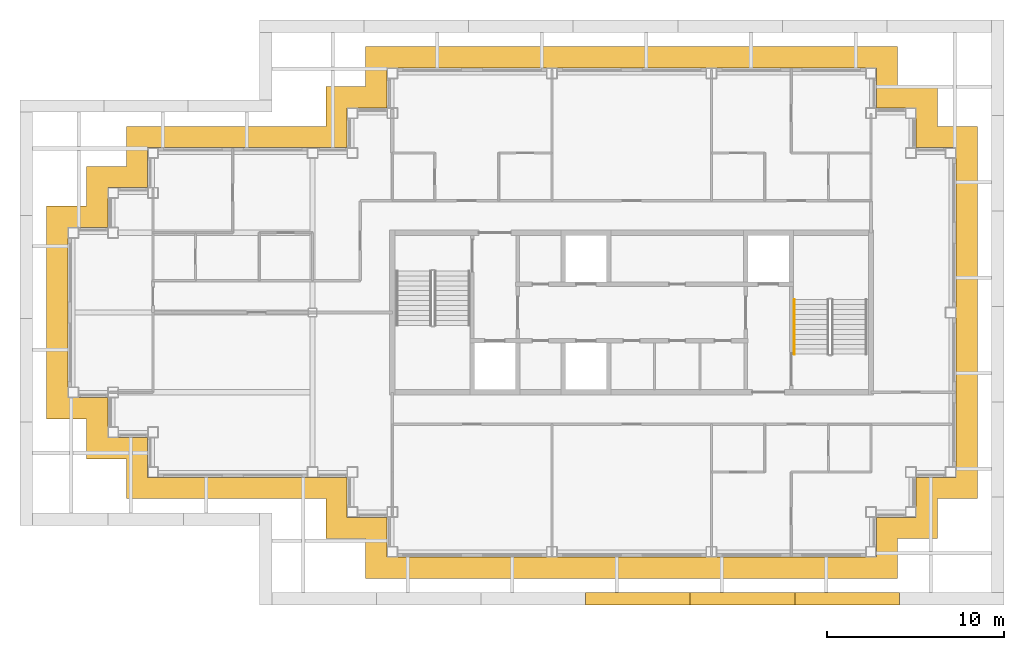
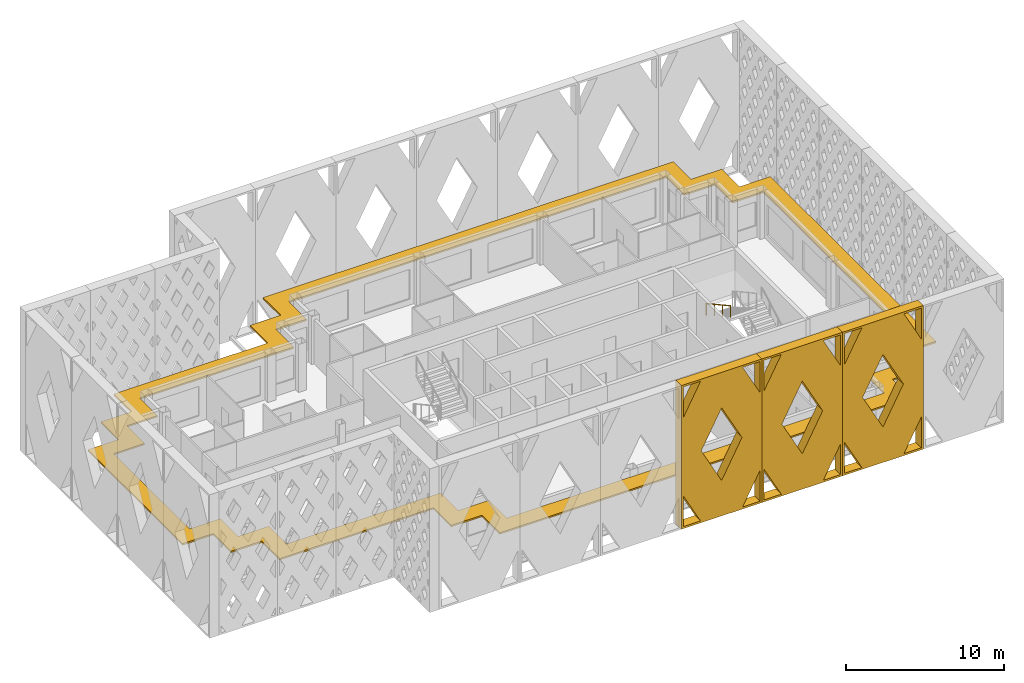
# One storey, part 11 of 13: 4 shading devices, 1 railing.
"""IFC4 building model written with IfcOpenShell, lengths in metres."""

from ifc_helpers import new_model, si_unit, direction, frame, origin, origin_2d, place, context, subcontext, project, spatial, polyline, circle, outline, extrude, material, layer, layer_set, type_object, element, save


model = new_model("IFC4")

# Units and contexts
model_context = context("Model", 3, precision=1e-05, world=origin(), true_north=direction((0.0, 1.0)))
body_context = subcontext(model_context, "Body", "Model", "MODEL_VIEW")
ifc_project = project(units=[si_unit("LENGTHUNIT", "METRE"), si_unit("AREAUNIT", "SQUARE_METRE"), si_unit("VOLUMEUNIT", "CUBIC_METRE"), si_unit("PLANEANGLEUNIT", "RADIAN"), si_unit("MASSUNIT", "GRAM", prefix="KILO")], contexts=[model_context])

# Site, building, storey
site_placement = place(None, origin())
site = spatial("IfcSite", under=ifc_project, at=site_placement, CompositionType="ELEMENT")
building_placement = place(site_placement, origin())
building = spatial("IfcBuilding", under=site, at=building_placement, Name="Caravel Reach Hotel and Residences", CompositionType="ELEMENT")
storey_placement = place(building_placement, frame((0.0, 0.0, 267.5)))
storey = spatial("IfcBuildingStorey", under=building, at=storey_placement, Name="L68", CompositionType="ELEMENT", Elevation=267.5)

# Shading devices
ifc_material_1 = material(Name="Black powder-coated aluminium", Category="aluminium")
shading_device_type_1 = type_object("IfcShadingDeviceType", Name="Diamond lattice screen panel 5900 x 11100", PredefinedType="USERDEFINED", material=ifc_material_1)
for number, where, z_axis, x_axis, name in (
    (1, (28.89990234375, 11.199951171875, 0.0), (0.0, -1.0, 0.0), (1.0, 0.0, 0.0), "Lattice screen L68-L70 3.4"),
    (2, (34.800048828125, 11.199951171875, 0.0), (0.0, -1.0, 0.0), (1.0, 0.0, 0.0), "Lattice screen L68-L70 3.5"),
    (3, (40.699951171875, 11.199951171875, 0.0), (0.0, -1.0, 0.0), (1.0, 0.0, 0.0), "Lattice screen L68-L70 3.6"),
):
    element("IfcShadingDevice", number, at=place(storey_placement, frame(where, z_axis=z_axis, x_axis=x_axis)), inside=storey, type_object=shading_device_type_1, Name=name, ObjectType="SCREEN", PredefinedType="USERDEFINED", context=body_context, shape_type="SweptSolid", body=[
        extrude(outline(polyline([(0.0, 0.0), (5.89990234375, 0.0), (5.89990234375, 11.10009765625), (0.0, 11.10009765625), (0.0, 0.0)]), holes=[polyline([(1.4140625, 0.14990234375), (0.14990234375, 2.528076171875), (0.14990234375, 0.14990234375), (1.4140625, 0.14990234375)]), polyline([(0.14990234375, 8.572021484375), (1.4140625, 10.949951171875), (0.14990234375, 10.949951171875), (0.14990234375, 8.572021484375)]), polyline([(2.949951171875, 8.3603515625), (1.456298828125, 5.550048828125), (2.949951171875, 2.73974609375), (4.44384765625, 5.550048828125), (2.949951171875, 8.3603515625)]), polyline([(5.75, 2.528076171875), (4.486083984375, 0.14990234375), (5.75, 0.14990234375), (5.75, 2.528076171875)]), polyline([(4.486083984375, 10.949951171875), (5.75, 8.572021484375), (5.75, 10.949951171875), (4.486083984375, 10.949951171875)])]), origin(), (0.0, 0.0, 1.0), 0.699951171875),
    ])

# Railing
ifc_material_2 = material(Name="Stainless steel handrail", Category="steel")
railing_type = type_object("IfcRailingType", Name="Handrail 900", PredefinedType="HANDRAIL", material=ifc_material_2)
railing_placement = place(storey_placement, frame((40.675048828125, 27.72998046875, 2.004150390625)))
element("IfcRailing", 4, at=railing_placement, inside=storey, type_object=railing_type, Name="L68 ST-B stair handrail 2", PredefinedType="HANDRAIL", context=body_context, shape_type="SweptSolid", body=[
    extrude(circle(Radius=0.02392578125, at=origin_2d()), frame((0.0, 0.0, 0.8759765625), z_axis=(0.0, -0.876004717809, 0.482302534076), x_axis=(1.0, 0.0, 0.0)), (0.0, 0.0, 1.0), 3.51611328125),
    extrude(circle(Radius=0.02099609375, at=origin_2d()), origin(), (0.0, 0.0, 1.0), 0.851806640625),
    extrude(circle(Radius=0.02099609375, at=origin_2d()), frame((0.0, -1.026611328125, 0.565185546875)), (0.0, 0.0, 1.0), 0.851806640625),
    extrude(circle(Radius=0.02099609375, at=origin_2d()), frame((0.0, -2.053466796875, 1.130615234375)), (0.0, 0.0, 1.0), 0.851806640625),
    extrude(circle(Radius=0.02099609375, at=origin_2d()), frame((0.0, -3.080078125, 1.69580078125)), (0.0, 0.0, 1.0), 0.851806640625),
])

# Shading device
ifc_material_3 = material(Name="Black powder-coated aluminium", Category="aluminium")
ifc_layer = layer(ifc_material_3, 0.1201171875)
ifc_layer_set = layer_set([ifc_layer], Name="SS1 Sunshade band 1200")
shading_device_type_2 = type_object("IfcShadingDeviceType", Name="SS1 Sunshade band 1200", PredefinedType="USERDEFINED", material=ifc_layer_set)
shading_device_placement = place(storey_placement, frame((0.0, 0.0, 3.0400390625)))
element("IfcShadingDevice", 5, at=shading_device_placement, inside=storey, type_object=shading_device_type_2, Name="Sunshade L68 1", ObjectType="SUNSHADE", PredefinedType="USERDEFINED", context=body_context, shape_type="SweptSolid", body=[
    extrude(outline(polyline([(3.0, 16.5), (14.25, 16.5), (14.25, 14.25), (16.5, 14.25), (16.5, 12.0), (46.5, 12.0), (46.5, 14.25), (48.75, 14.25), (48.75, 16.5), (51.0, 16.5), (51.0, 37.5), (48.75, 37.5), (48.75, 39.75), (46.5, 39.75), (46.5, 42.0), (16.5, 42.0), (16.5, 39.75), (14.25, 39.75), (14.25, 37.5), (3.0, 37.5), (3.0, 35.25), (0.75, 35.25), (0.75, 33.0), (-1.5, 33.0), (-1.5, 21.0), (0.75, 21.0), (0.75, 18.75), (3.0, 18.75), (3.0, 16.5)]), holes=[polyline([(15.449951171875, 15.449951171875), (15.449951171875, 17.699951171875), (4.199951171875, 17.699951171875), (4.199951171875, 19.949951171875), (1.949951171875, 19.949951171875), (1.949951171875, 22.199951171875), (-0.300048828125, 22.199951171875), (-0.300048828125, 31.800048828125), (1.949951171875, 31.800048828125), (1.949951171875, 34.050048828125), (4.199951171875, 34.050048828125), (4.199951171875, 36.300048828125), (15.449951171875, 36.300048828125), (15.449951171875, 38.550048828125), (17.699951171875, 38.550048828125), (17.699951171875, 40.800048828125), (45.300048828125, 40.800048828125), (45.300048828125, 38.550048828125), (47.550048828125, 38.550048828125), (47.550048828125, 36.300048828125), (49.800048828125, 36.300048828125), (49.800048828125, 17.699951171875), (47.550048828125, 17.699951171875), (47.550048828125, 15.449951171875), (45.300048828125, 15.449951171875), (45.300048828125, 13.199951171875), (17.699951171875, 13.199951171875), (17.699951171875, 15.449951171875), (15.449951171875, 15.449951171875)])]), origin(), (0.0, 0.0, 1.0), 0.119873046875),
])

save(model, "model.ifc")
